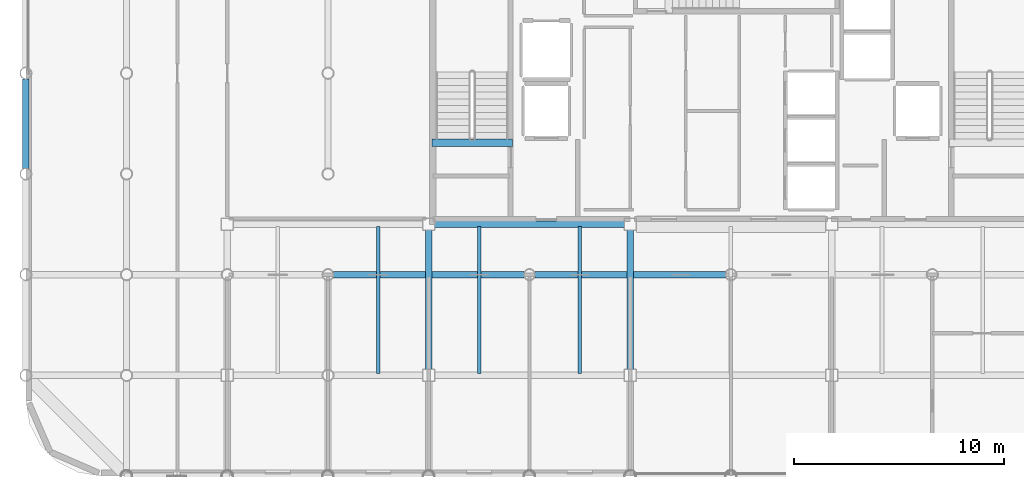
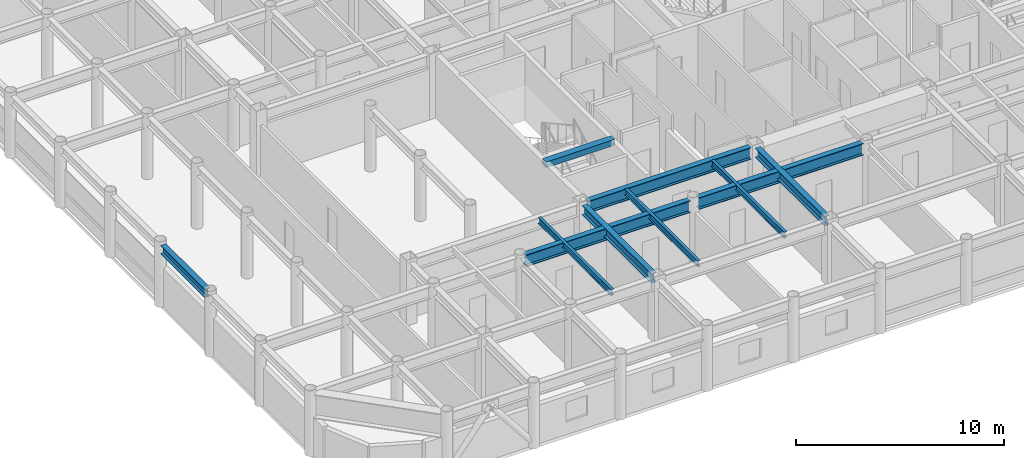
# One storey, part 5 of 22: 10 beams.
"""IFC4 building model written with IfcOpenShell, lengths in metres."""

import ifcopenshell
import ifcopenshell.guid

model = None  # the IFC model being written
_history = None  # IfcOwnerHistory: only IFC2X3 demands one
_inside = {}  # id of a spatial element -> (the spatial element, [elements in it])
_under = {}  # id of a project, library or spatial element -> (it, [spatial elements below it])
_declared = {}  # id of a project -> (the project, [libraries it declares])
_typed = {}  # id of a type object -> (the type object, [elements of that type])
_made_of = {}  # id of a material, layer set ... -> (it, [elements and type objects made of it])


def new_model(schema):
    """Start an empty IFC model of exactly this schema.

    Asked for "IFC4X3", IfcOpenShell would pick the latest addendum, in which some entities
    have other attributes; the version numbers below select the first issue.
    IFC2X3 requires an IfcOwnerHistory on every rooted entity: one is made here for all.
    """
    global model, _history
    if schema == "IFC4X3":
        model = ifcopenshell.file(schema_version=(4, 3, 0, 0))
    else:
        model = ifcopenshell.file(schema=schema)
    _inside.clear()
    _under.clear()
    _declared.clear()
    _typed.clear()
    _made_of.clear()
    _history = None
    if model.schema == "IFC2X3":
        org = make("IfcOrganization", Name="unknown")
        user = make(
            "IfcPersonAndOrganization",
            ThePerson=make("IfcPerson", FamilyName="unknown"),
            TheOrganization=org,
        )
        app = make(
            "IfcApplication",
            ApplicationDeveloper=org,
            Version="unknown",
            ApplicationFullName="unknown",
            ApplicationIdentifier="unknown",
        )
        _history = make(
            "IfcOwnerHistory",
            OwningUser=user,
            OwningApplication=app,
            ChangeAction="ADDED",
            CreationDate=0,
        )
    return model


def make(cls, **values):
    """One entity of the class cls with the attributes given. An attribute that is None is left unset."""
    return model.create_entity(
        cls, **{name: value for name, value in values.items() if value is not None}
    )


def rooted(cls, **values):
    """An entity with a GlobalId (a new one), such as an element, a storey or a relation."""
    return make(cls, GlobalId=ifcopenshell.guid.new(), OwnerHistory=_history, **values)


def si_unit(unit_type, name, prefix=None):
    """IfcSIUnit, for example si_unit("LENGTHUNIT", "METRE", prefix="MILLI")."""
    return make("IfcSIUnit", UnitType=unit_type, Prefix=prefix, Name=name)


def assignment(units):
    """IfcUnitAssignment: the units of a project."""
    return None if units is None else make("IfcUnitAssignment", Units=units)


def point(xyz):
    """IfcCartesianPoint."""
    return None if xyz is None else make("IfcCartesianPoint", Coordinates=xyz)


def direction(xyz):
    """IfcDirection."""
    return None if xyz is None else make("IfcDirection", DirectionRatios=xyz)


def frame(location, z_axis=None, x_axis=None):
    """IfcAxis2Placement3D, a coordinate frame: its origin and axes. An axis left out is left unset."""
    return make(
        "IfcAxis2Placement3D",
        Location=point(location),
        Axis=direction(z_axis),
        RefDirection=direction(x_axis),
    )


def frame_2d(location, x_axis=None):
    """IfcAxis2Placement2D, a coordinate frame in the plane: its origin and x axis."""
    return make(
        "IfcAxis2Placement2D", Location=point(location), RefDirection=direction(x_axis)
    )


def origin():
    """The frame at (0, 0, 0) with its axes left unset."""
    return frame((0.0, 0.0, 0.0))


def origin_2d():
    """The frame at (0, 0) in the plane with its x axis left unset."""
    return frame_2d((0.0, 0.0))


def place(relative_to, where):
    """IfcLocalPlacement: puts the frame where relative to a parent placement (None: the world)."""
    return make(
        "IfcLocalPlacement", PlacementRelTo=relative_to, RelativePlacement=where
    )


def context(
    kind, dimensions, precision=None, world=None, true_north=None, identifier=None
):
    """IfcGeometricRepresentationContext, for example the 3D "Model" context."""
    return make(
        "IfcGeometricRepresentationContext",
        ContextIdentifier=identifier,
        ContextType=kind,
        CoordinateSpaceDimension=dimensions,
        Precision=precision,
        WorldCoordinateSystem=world,
        TrueNorth=true_north,
    )


def subcontext(parent, identifier, kind, view, scale=None):
    """IfcGeometricRepresentationSubContext, for example "Body" below "Model"."""
    return make(
        "IfcGeometricRepresentationSubContext",
        ContextIdentifier=identifier,
        ContextType=kind,
        ParentContext=parent,
        TargetScale=scale,
        TargetView=view,
    )


def project(units=None, contexts=None):
    """IfcProject with its units and contexts."""
    return rooted(
        "IfcProject",
        Name="project",
        RepresentationContexts=contexts,
        UnitsInContext=assignment(units),
    )


def spatial(cls, under=None, at=None, **own):
    """A site, building, storey or space (cls), placed at a placement, below another one or the project."""
    s = rooted(cls, ObjectPlacement=at, **own)
    if under is not None:
        _under.setdefault(under.id(), (under, []))[1].append(s)
    return s


def profile(cls, at=None, kind="AREA", **sizes):
    """A parametric profile (cls). Its sizes go by their IFC names, for example OverallWidth=200.0."""
    return make(cls, ProfileType=kind, Position=at, **sizes)


def rectangle(**sizes):
    """IfcRectangleProfileDef."""
    return profile("IfcRectangleProfileDef", **sizes)


def i_section(**sizes):
    """IfcIShapeProfileDef."""
    return profile("IfcIShapeProfileDef", **sizes)


def extrude(swept, where, along, depth):
    """IfcExtrudedAreaSolid: the profile swept, set in the frame where, extruded along a direction by depth."""
    return make(
        "IfcExtrudedAreaSolid",
        SweptArea=swept,
        Position=where,
        ExtrudedDirection=direction(along),
        Depth=depth,
    )


def shape(context_of_items, identifier, shape_type, items):
    """IfcShapeRepresentation: the items that make up one representation, for example the "Body"."""
    return make(
        "IfcShapeRepresentation",
        ContextOfItems=context_of_items,
        RepresentationIdentifier=identifier,
        RepresentationType=shape_type,
        Items=items,
    )


def material(Name=None, Category=None):
    """IfcMaterial."""
    return make("IfcMaterial", Name=Name, Category=Category)


def material_profile(
    of_material, cross_section, Name=None, Category=None, Priority=None
):
    """IfcMaterialProfile: a cross section and its material."""
    return make(
        "IfcMaterialProfile",
        Name=Name,
        Material=of_material,
        Profile=cross_section,
        Priority=Priority,
        Category=Category,
    )


def profile_set(profiles, Name=None, composite=None):
    """IfcMaterialProfileSet."""
    return make(
        "IfcMaterialProfileSet",
        Name=Name,
        MaterialProfiles=profiles,
        CompositeProfile=composite,
    )


def made_of(thing, what):
    """Note that an element or type object is made of a material, layer set ...; save() writes the relation."""
    if what is not None:
        _made_of.setdefault(what.id(), (what, []))[1].append(thing)
    return thing


def type_object(cls, material=None, **own):
    """A type object (cls), such as IfcWallType, which elements share."""
    return made_of(rooted(cls, **own), material)


def element(
    cls,
    number,
    at=None,
    inside=None,
    cuts=None,
    type_object=None,
    material=None,
    context=None,
    identifier="Body",
    shape_type=None,
    held_by="IfcProductDefinitionShape",
    body=None,
    shapes=None,
    **own,
):
    """One element of the class cls, such as IfcWall. Its Tag is "e" and its number.

    at: its placement. inside: the storey or other place that contains it. cuts: it is an
    opening in that element (IfcRelVoidsElement). A single representation is given by context,
    identifier, shape_type and body (its items); several are given by shapes. held_by: the class
    of the entity that holds the representations. save() writes the other relations.
    """
    e = rooted(cls, Tag="e%d" % number, ObjectPlacement=at, **own)
    if body is not None:
        shapes = [shape(context, identifier, shape_type, body)]
    if shapes is not None:
        e.Representation = make(held_by, Representations=shapes)
    if inside is not None:
        _inside.setdefault(inside.id(), (inside, []))[1].append(e)
    if cuts is not None:
        rooted(
            "IfcRelVoidsElement", RelatingBuildingElement=cuts, RelatedOpeningElement=e
        )
    if type_object is not None:
        _typed.setdefault(type_object.id(), (type_object, []))[1].append(e)
    return made_of(e, material)


def aggregate(whole, parts):
    """IfcRelAggregates: a whole, such as a stair, and the parts it consists of."""
    return rooted("IfcRelAggregates", RelatingObject=whole, RelatedObjects=parts)


def save(model, path):
    """Write the relations noted so far, then the file.

    IfcRelAggregates (storeys below a building ...), IfcRelContainedInSpatialStructure (elements
    in a storey), IfcRelDefinesByType, IfcRelAssociatesMaterial and IfcRelDeclares: one each for
    every whole, place, type object, material and project.
    """
    for whole, parts in _under.values():
        aggregate(whole, parts)
    for where, things in _inside.values():
        rooted(
            "IfcRelContainedInSpatialStructure",
            RelatedElements=things,
            RelatingStructure=where,
        )
    for kind, things in _typed.values():
        rooted("IfcRelDefinesByType", RelatedObjects=things, RelatingType=kind)
    for what, things in _made_of.values():
        rooted("IfcRelAssociatesMaterial", RelatedObjects=things, RelatingMaterial=what)
    for by, libraries in _declared.values():
        rooted("IfcRelDeclares", RelatingContext=by, RelatedDefinitions=libraries)
    model.write(path)


model = new_model("IFC4")

# Units and contexts
model_context = context("Model", 3, precision=1e-05, world=origin(), true_north=direction((0.0, 1.0)))
body_context = subcontext(model_context, "Body", "Model", "MODEL_VIEW")
ifc_project = project(units=[si_unit("LENGTHUNIT", "METRE"), si_unit("AREAUNIT", "SQUARE_METRE"), si_unit("VOLUMEUNIT", "CUBIC_METRE"), si_unit("PLANEANGLEUNIT", "RADIAN"), si_unit("MASSUNIT", "GRAM", prefix="KILO")], contexts=[model_context])

# Site, building, storey
site_placement = place(None, origin())
site = spatial("IfcSite", under=ifc_project, at=site_placement, CompositionType="ELEMENT")
building_placement = place(site_placement, origin())
building = spatial("IfcBuilding", under=site, at=building_placement, Name="Kallvorn Hotel Tower", CompositionType="ELEMENT")
storey_placement = place(building_placement, frame((0.0, 0.0, 256.949951171875)))
storey = spatial("IfcBuildingStorey", under=building, at=storey_placement, Name="L64", CompositionType="ELEMENT", Elevation=256.949951171875)

# Beams
ifc_material_1 = material(Name="Structural steel S355JR", Category="steel")
ifc_material_profile_1 = material_profile(ifc_material_1, i_section(OverallWidth=0.300048828125, OverallDepth=0.5, WebThickness=0.014404296875, FlangeThickness=0.028076171875, at=origin_2d()), Name="HE 500 B")
ifc_profile_set_1 = profile_set([ifc_material_profile_1], Name="Structural steel S355JR")
beam_type_1 = type_object("IfcBeamType", Name="BM_HE500B", PredefinedType="SPANDREL", material=ifc_profile_set_1)
beam_1_placement = place(storey_placement, frame((-33.60009765625, -4.530517578125, 3.420166015625), z_axis=(0.0, 1.0, 0.0), x_axis=(-1.0, 0.0, 0.0)))
element("IfcBeam", 1, at=beam_1_placement, inside=storey, type_object=beam_type_1, Name="L65 Perimeter Spandrel 176", PredefinedType="SPANDREL", context=body_context, shape_type="SweptSolid", body=[
    extrude(i_section(OverallWidth=0.300048828125, OverallDepth=0.5, WebThickness=0.014404296875, FlangeThickness=0.028076171875, at=origin_2d()), origin(), (0.0, 0.0, 1.0), 4.260986328125),
])
ifc_material_2 = material(Name="Structural steel S355JR", Category="steel")
ifc_material_profile_2 = material_profile(ifc_material_2, i_section(OverallWidth=0.300048828125, OverallDepth=0.550048828125, WebThickness=0.014892578125, FlangeThickness=0.029052734375, at=origin_2d()), Name="HE 550 B")
ifc_profile_set_2 = profile_set([ifc_material_profile_2], Name="Structural steel S355JR")
beam_type_2 = type_object("IfcBeamType", Name="BM_HE550B", PredefinedType="SPANDREL", material=ifc_profile_set_2)
for number, where, z_axis, x_axis, name in (
    (2, (-14.39990234375, -14.125, 3.39501953125), (0.0, 1.0, 0.0), (-1.0, 0.0, 0.0), "L65 Primary Y-Girder 99"),
    (3, (-4.800048828125, -14.125, 3.39501953125), (0.0, 1.0, 0.0), (-1.0, 0.0, 0.0), "L65 Primary Y-Girder 107"),
):
    element("IfcBeam", number, at=place(storey_placement, frame(where, z_axis=z_axis, x_axis=x_axis)), inside=storey, type_object=beam_type_2, Name=name, PredefinedType="SPANDREL", context=body_context, shape_type="SweptSolid", body=[
        extrude(i_section(OverallWidth=0.300048828125, OverallDepth=0.550048828125, WebThickness=0.014892578125, FlangeThickness=0.029052734375, at=origin_2d()), origin(), (0.0, 0.0, 1.0), 6.64990234375),
    ])
ifc_material_3 = material(Name="Structural steel S355JR", Category="steel")
ifc_material_profile_3 = material_profile(ifc_material_3, i_section(OverallWidth=0.300048828125, OverallDepth=0.699951171875, WebThickness=0.01708984375, FlangeThickness=0.031982421875, at=origin_2d()), Name="HE 700 B")
ifc_profile_set_3 = profile_set([ifc_material_profile_3], Name="Structural steel S355JR")
beam_type_3 = type_object("IfcBeamType", Name="BM_HE700B", PredefinedType="BEAM", material=ifc_profile_set_3)
for number, where, z_axis, x_axis, name in (
    (4, (-18.945556640625, -9.60009765625, 3.320068359375), (1.0, 0.0, 0.0), (0.0, 1.0, 0.0), "L65 Primary X-Girder 26"),
    (5, (-9.345458984375, -9.60009765625, 3.320068359375), (1.0, 0.0, 0.0), (0.0, 1.0, 0.0), "L65 Primary X-Girder 27"),
):
    element("IfcBeam", number, at=place(storey_placement, frame(where, z_axis=z_axis, x_axis=x_axis)), inside=storey, type_object=beam_type_3, Name=name, PredefinedType="BEAM", context=body_context, shape_type="SweptSolid", body=[
        extrude(i_section(OverallWidth=0.300048828125, OverallDepth=0.699951171875, WebThickness=0.01708984375, FlangeThickness=0.031982421875, at=origin_2d()), origin(), (0.0, 0.0, 1.0), 9.091064453125),
    ])
beam_2_placement = place(storey_placement, frame((-14.125, -7.199951171875, 3.320068359375), z_axis=(1.0, 0.0, 0.0), x_axis=(0.0, 1.0, 0.0)))
element("IfcBeam", 6, at=beam_2_placement, inside=storey, type_object=beam_type_3, Name="L65 Primary X-Girder 33", PredefinedType="BEAM", context=body_context, shape_type="SweptSolid", body=[
    extrude(i_section(OverallWidth=0.300048828125, OverallDepth=0.699951171875, WebThickness=0.01708984375, FlangeThickness=0.031982421875, at=origin_2d()), origin(), (0.0, 0.0, 1.0), 9.050048828125),
])
ifc_material_4 = material(Name="Structural steel S355JR", Category="steel")
ifc_material_profile_4 = material_profile(ifc_material_4, i_section(OverallWidth=0.169921875, OverallDepth=0.360107421875, WebThickness=0.008056640625, FlangeThickness=0.0126953125, at=origin_2d()), Name="IPE 360")
ifc_profile_set_4 = profile_set([ifc_material_profile_4], Name="Structural steel S355JR")
beam_type_4 = type_object("IfcBeamType", Name="BM_IPE360", PredefinedType="JOIST", material=ifc_profile_set_4)
for number, where, z_axis, x_axis, name in (
    (7, (-16.800048828125, -14.300048828125, 3.489990234375), (0.0, 1.0, 0.0), (-1.0, 0.0, 0.0), "L65 Secondary Composite Joist 194"),
    (8, (-12.0, -14.300048828125, 3.489990234375), (0.0, 1.0, 0.0), (-1.0, 0.0, 0.0), "L65 Secondary Composite Joist 196"),
    (9, (-7.199951171875, -14.300048828125, 3.489990234375), (0.0, 1.0, 0.0), (-1.0, 0.0, 0.0), "L65 Secondary Composite Joist 198"),
):
    element("IfcBeam", number, at=place(storey_placement, frame(where, z_axis=z_axis, x_axis=x_axis)), inside=storey, type_object=beam_type_4, Name=name, PredefinedType="JOIST", context=body_context, shape_type="SweptSolid", body=[
        extrude(i_section(OverallWidth=0.169921875, OverallDepth=0.360107421875, WebThickness=0.008056640625, FlangeThickness=0.0126953125, at=origin_2d()), origin(), (0.0, 0.0, 1.0), 7.0),
    ])
ifc_material_5 = material(Name="Concrete C50/60", Category="concrete")
ifc_material_profile_5 = material_profile(ifc_material_5, rectangle(XDim=0.360107421875, YDim=0.340087890625, at=origin_2d()), Name="RC 360x340")
ifc_profile_set_5 = profile_set([ifc_material_profile_5], Name="Concrete C50/60")
beam_type_5 = type_object("IfcBeamType", Name="BM_RC_400x360", PredefinedType="BEAM", material=ifc_profile_set_5)
beam_3_placement = place(storey_placement, frame((-10.419921875, -3.31005859375, 3.5), z_axis=(-1.0, 0.0, 0.0), x_axis=(0.0, -1.0, 0.0)))
element("IfcBeam", 10, at=beam_3_placement, inside=storey, type_object=beam_type_5, Name="L65 Stair ST1 Arrival Trimmer Beam", PredefinedType="BEAM", context=body_context, shape_type="SweptSolid", body=[
    extrude(rectangle(XDim=0.360107421875, YDim=0.340087890625, at=origin_2d()), origin(), (0.0, 0.0, 1.0), 3.820068359375),
])

save(model, "model.ifc")
